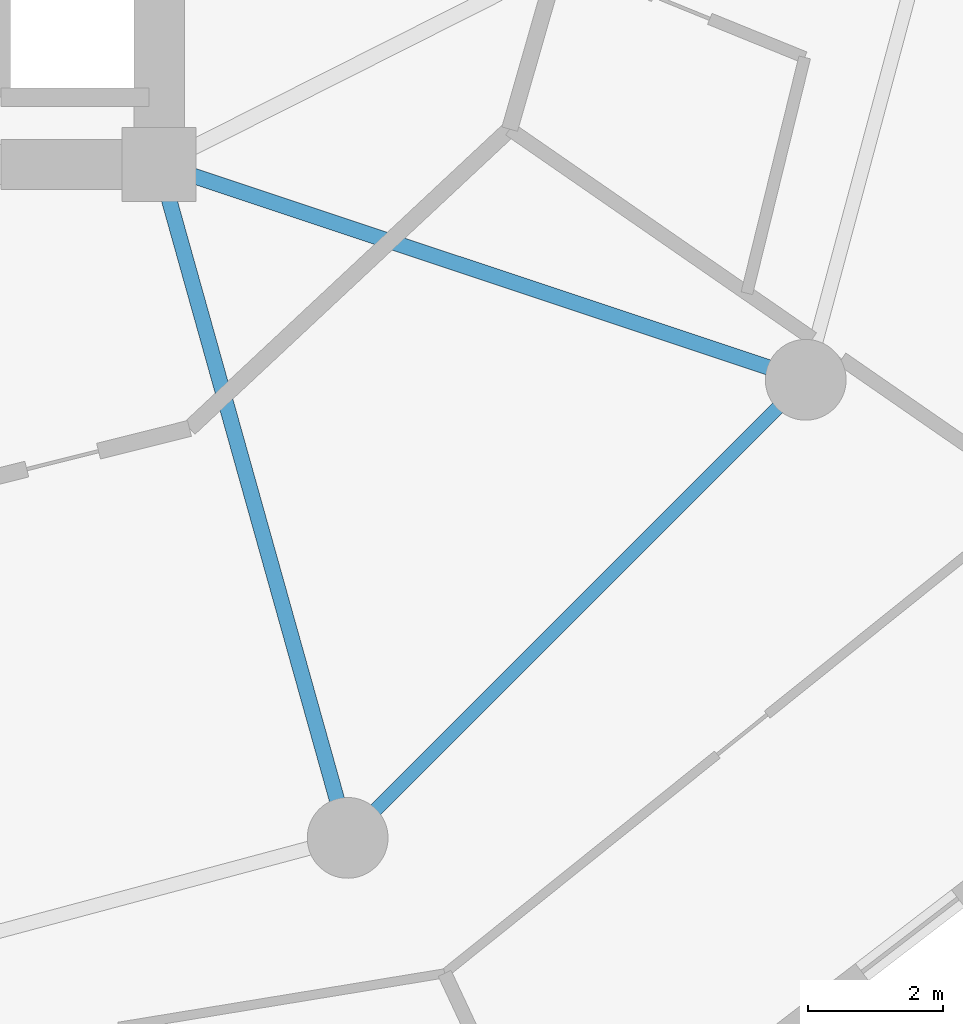
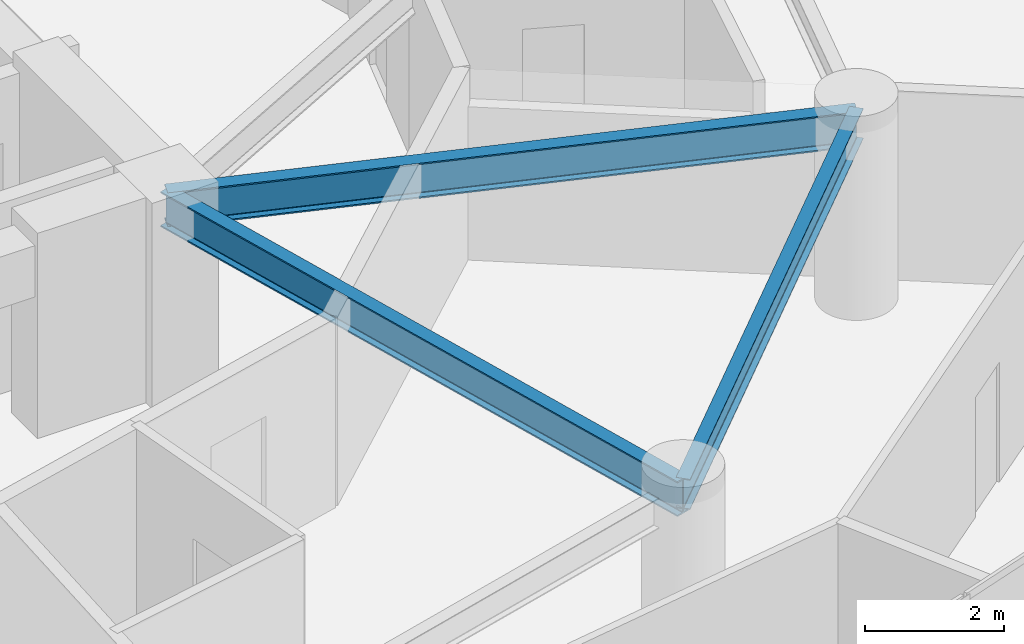
# One storey, part 7 of 23: 3 beams.
"""IFC4 building model written with IfcOpenShell, lengths in metres."""

from ifc_helpers import new_model, si_unit, direction, frame, origin, origin_2d, place, context, subcontext, project, spatial, i_section, extrude, material, material_profile, profile_set, type_object, element, save


model = new_model("IFC4")

# Units and contexts
model_context = context("Model", 3, precision=1e-05, world=origin(), true_north=direction((0.0, 1.0)))
body_context = subcontext(model_context, "Body", "Model", "MODEL_VIEW")
ifc_project = project(units=[si_unit("LENGTHUNIT", "METRE"), si_unit("AREAUNIT", "SQUARE_METRE"), si_unit("VOLUMEUNIT", "CUBIC_METRE"), si_unit("PLANEANGLEUNIT", "RADIAN"), si_unit("MASSUNIT", "GRAM", prefix="KILO")], contexts=[model_context])

# Site, building, storey
site_placement = place(None, origin())
site = spatial("IfcSite", under=ifc_project, at=site_placement, CompositionType="ELEMENT")
building_placement = place(site_placement, origin())
building = spatial("IfcBuilding", under=site, at=building_placement, Name="Solvirekh Grand Hotel", CompositionType="ELEMENT")
storey_placement = place(building_placement, frame((0.0, 0.0, 75.199951171875)))
storey = spatial("IfcBuildingStorey", under=building, at=storey_placement, Name="L18", CompositionType="ELEMENT", Elevation=75.199951171875)

# Beams
ifc_material = material(Name="Steel S355", Category="steel")
ifc_material_profile_1 = material_profile(ifc_material, i_section(OverallWidth=0.22998046875, OverallDepth=0.615966796875, WebThickness=0.013916015625, FlangeThickness=0.02392578125, FilletRadius=0.014892578125, at=origin_2d()), Name="W610X174")
ifc_profile_set_1 = profile_set([ifc_material_profile_1], Name="Steel S355")
beam_type_1 = type_object("IfcBeamType", Name="Beam_Primary_W610H", PredefinedType="BEAM", material=ifc_profile_set_1)
beam_1_placement = place(storey_placement, frame((6.5, -6.10009765625, 3.031982421875), z_axis=(0.269439084681, -0.963017434757, 0.0), x_axis=(0.963017434757, 0.269439084681, 0.0)))
element("IfcBeam", 1, at=beam_1_placement, inside=storey, type_object=beam_type_1, Name="L18 radial floor beam R11", PredefinedType="BEAM", context=body_context, shape_type="SweptSolid", body=[
    extrude(i_section(OverallWidth=0.22998046875, OverallDepth=0.615966796875, WebThickness=0.013916015625, FlangeThickness=0.02392578125, FilletRadius=0.014892578125, at=origin_2d()), origin(), (0.0, 0.0, 1.0), 10.39208984375),
])
beam_2_placement = place(storey_placement, frame((6.5, -6.10009765625, 3.031982421875), z_axis=(0.948762825819, -0.315989082635, 0.0), x_axis=(0.315989082635, 0.948762825819, 0.0)))
element("IfcBeam", 2, at=beam_2_placement, inside=storey, type_object=beam_type_1, Name="L18 radial floor beam R12", PredefinedType="BEAM", context=body_context, shape_type="SweptSolid", body=[
    extrude(i_section(OverallWidth=0.22998046875, OverallDepth=0.615966796875, WebThickness=0.013916015625, FlangeThickness=0.02392578125, FilletRadius=0.014892578125, at=origin_2d()), origin(), (0.0, 0.0, 1.0), 10.126708984375),
])
ifc_material_profile_2 = material_profile(ifc_material, i_section(OverallWidth=0.208984375, OverallDepth=0.532958984375, WebThickness=0.010009765625, FlangeThickness=0.014892578125, FilletRadius=0.013916015625, at=origin_2d()), Name="W530X92")
ifc_profile_set_2 = profile_set([ifc_material_profile_2], Name="Steel S355")
beam_type_2 = type_object("IfcBeamType", Name="Spandrel_Ring_W530", PredefinedType="SPANDREL", material=ifc_profile_set_2)
beam_3_placement = place(storey_placement, frame((9.300048828125, -16.10791015625, 3.073974609375), z_axis=(0.707106781187, 0.707106781187, 0.0), x_axis=(-0.707106781187, 0.707106781187, 0.0)))
element("IfcBeam", 3, at=beam_3_placement, inside=storey, type_object=beam_type_2, Name="L18 perimeter spandrel beam 11", PredefinedType="SPANDREL", context=body_context, shape_type="SweptSolid", body=[
    extrude(i_section(OverallWidth=0.208984375, OverallDepth=0.532958984375, WebThickness=0.010009765625, FlangeThickness=0.014892578125, FilletRadius=0.013916015625, at=origin_2d()), origin(), (0.0, 0.0, 1.0), 9.627685546875),
])

save(model, "model.ifc")
